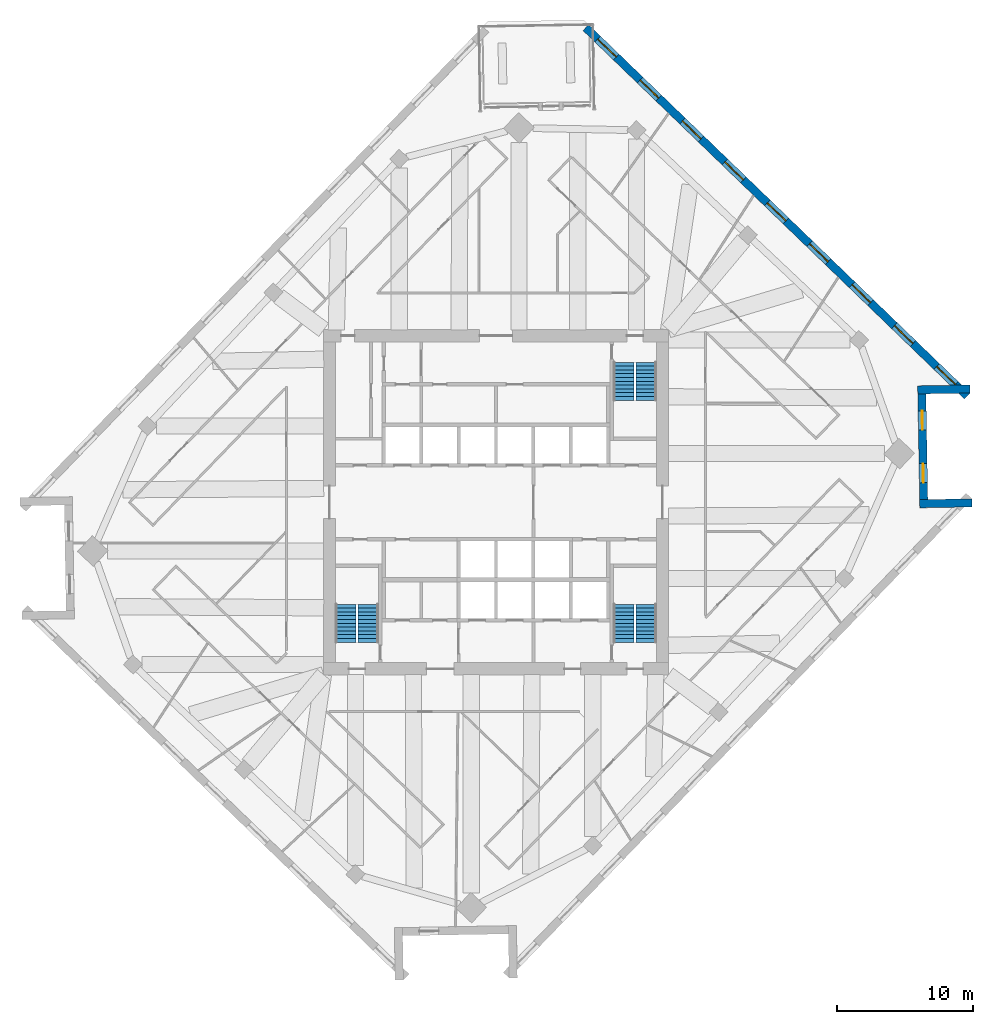
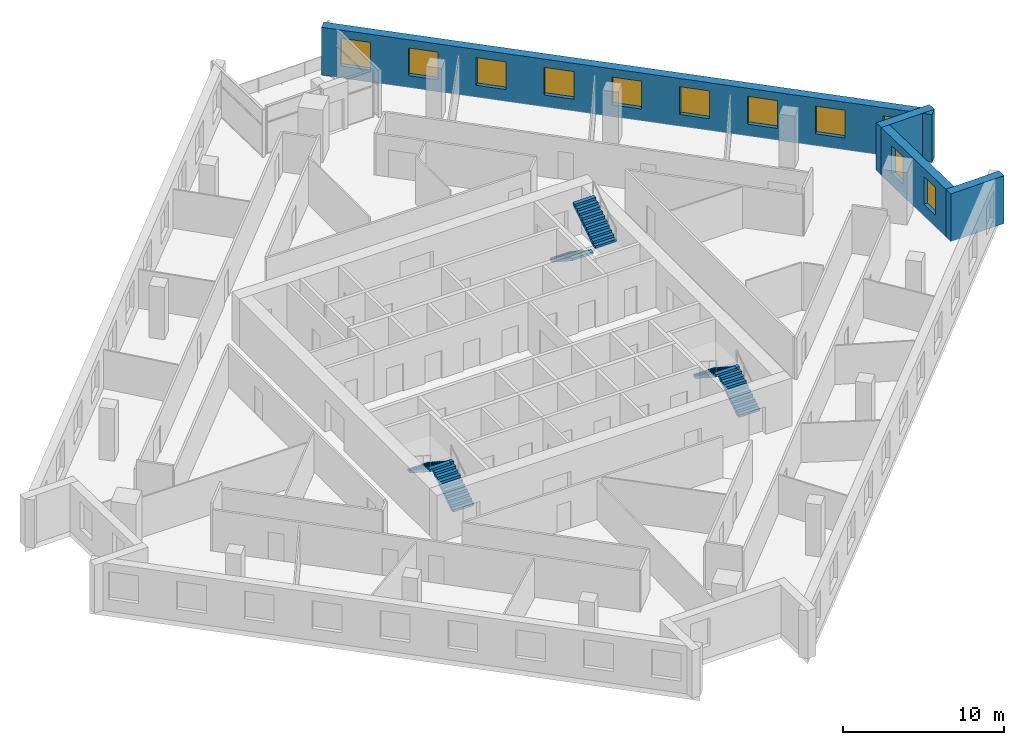
# One storey, part 11 of 13: 11 windows, 6 stair flights, 4 walls, 11 openings, 3 elements without a shape of their own.
"""IFC4 building model written with IfcOpenShell, lengths in metres."""

from ifc_helpers import new_model, si_unit, direction, frame, frame_2d, origin, place, context, subcontext, project, spatial, polyline, rectangle, outline, extrude, material, layer, layer_set, type_object, element, fill, aggregate, save


model = new_model("IFC4")

# Units and contexts
model_context = context("Model", 3, precision=1e-05, world=origin(), true_north=direction((0.0, 1.0)))
body_context = subcontext(model_context, "Body", "Model", "MODEL_VIEW")
ifc_project = project(units=[si_unit("LENGTHUNIT", "METRE"), si_unit("AREAUNIT", "SQUARE_METRE"), si_unit("VOLUMEUNIT", "CUBIC_METRE"), si_unit("PLANEANGLEUNIT", "RADIAN"), si_unit("MASSUNIT", "GRAM", prefix="KILO")], contexts=[model_context])

# Site, building, storey
site_placement = place(None, origin())
site = spatial("IfcSite", under=ifc_project, at=site_placement, CompositionType="ELEMENT")
building_placement = place(site_placement, origin())
building = spatial("IfcBuilding", under=site, at=building_placement, Name="Dilmun Exchange Tower", CompositionType="ELEMENT")
storey_placement = place(building_placement, frame((0.0, 0.0, 209.300048828125)))
storey = spatial("IfcBuildingStorey", under=building, at=storey_placement, Name="L49", CompositionType="ELEMENT", Elevation=209.300048828125)

# Wall
ifc_material_1 = material(Name="Precast concrete C50/60", Category="concrete")
ifc_layer = layer(ifc_material_1, 0.60009765625)
ifc_layer_set = layer_set([ifc_layer], Name="Precast concrete C50/60")
wall_type = type_object("IfcWallType", Name="Precast stone-clad wall 600", PredefinedType="STANDARD", material=ifc_layer_set)
wall_1_placement = place(storey_placement, frame((35.0078125, -0.04248046875, 0.0), z_axis=(0.0, 0.0, 1.0), x_axis=(-0.999847642189, -0.017455440681, 0.0)))
element("IfcWall", 1, at=wall_1_placement, inside=storey, type_object=wall_type, Name="Facade wall L49-12", PredefinedType="STANDARD", context=body_context, shape_type="SweptSolid", body=[
    extrude(rectangle(XDim=3.84619140625, YDim=0.60009765625, at=frame_2d((1.923095703125, 0.0))), origin(), (0.0, 0.0, 1.0), 3.619873046875),
])

# Wall, openings, windows
wall_2_placement = place(storey_placement, frame((31.456787109375, 0.195556640625, 0.0), z_axis=(0.0, 0.0, 1.0), x_axis=(-0.017451978485, 0.999847702626, 0.0)))
wall_2 = element("IfcWall", 2, at=wall_2_placement, inside=storey, type_object=wall_type, Name="Facade wall L49-13", PredefinedType="STANDARD", context=body_context, shape_type="SweptSolid", body=[
    extrude(rectangle(XDim=7.778076171875, YDim=0.60009765625, at=frame_2d((3.88916015625, 0.0))), origin(), (0.0, 0.0, 1.0), 3.619873046875),
])
opening_1_placement = place(wall_2_placement, frame((1.244384765625, 0.0, 0.89990234375)))
opening_1 = element("IfcOpeningElement", 3, at=opening_1_placement, cuts=wall_2, Name="Opening W140-210", PredefinedType="OPENING", context=body_context, shape_type="SweptSolid", body=[
    extrude(rectangle(XDim=1.39990234375, YDim=2.10009765625, at=frame_2d((0.699951171875, 1.050048828125))), frame((0.0, 0.31005859375, 0.0), z_axis=(0.0, -1.0, 0.0), x_axis=(1.0, 0.0, 0.0)), (0.0, 0.0, 1.0), 0.6201171875),
])
opening_2_placement = place(wall_2_placement, frame((5.133544921875, 0.0, 0.89990234375)))
opening_2 = element("IfcOpeningElement", 4, at=opening_2_placement, cuts=wall_2, Name="Opening W140-210", PredefinedType="OPENING", context=body_context, shape_type="SweptSolid", body=[
    extrude(rectangle(XDim=1.39990234375, YDim=2.10009765625, at=frame_2d((0.699951171875, 1.050048828125))), frame((0.0, 0.31005859375, 0.0), z_axis=(0.0, -1.0, 0.0), x_axis=(1.0, 0.0, 0.0)), (0.0, 0.0, 1.0), 0.6201171875),
])
ifc_material_2 = material(Name="Clear low-emissivity glass in aluminium frame", Category="aluminium")
window_type_1 = type_object("IfcWindowType", Name="Punched window 1400 x 2100", PartitioningType="DOUBLE_PANEL_VERTICAL", PredefinedType="WINDOW", material=ifc_material_2)
window_1_placement = place(opening_1_placement, origin())
window_1 = element("IfcWindow", 5, at=window_1_placement, inside=storey, type_object=window_type_1, Name="Window 14.1", OverallHeight=2.10009765625, OverallWidth=1.39990234375, PartitioningType="SINGLE_PANEL", PredefinedType="WINDOW", context=body_context, shape_type="SweptSolid", body=[
    extrude(rectangle(XDim=1.39990234375, YDim=2.10009765625, at=frame_2d((0.699951171875, 1.050048828125))), frame((0.0, 0.030029296875, 0.0), z_axis=(0.0, -1.0, 0.0), x_axis=(1.0, 0.0, 0.0)), (0.0, 0.0, 1.0), 0.06005859375),
])
fill(opening_1, window_1)
window_2_placement = place(opening_2_placement, origin())
window_2 = element("IfcWindow", 6, at=window_2_placement, inside=storey, type_object=window_type_1, Name="Window 14.2", OverallHeight=2.10009765625, OverallWidth=1.39990234375, PartitioningType="SINGLE_PANEL", PredefinedType="WINDOW", context=body_context, shape_type="SweptSolid", body=[
    extrude(rectangle(XDim=1.39990234375, YDim=2.10009765625, at=frame_2d((0.699951171875, 1.050048828125))), frame((0.0, 0.030029296875, 0.0), z_axis=(0.0, -1.0, 0.0), x_axis=(1.0, 0.0, 0.0)), (0.0, 0.0, 1.0), 0.06005859375),
])
fill(opening_2, window_2)

# Wall
wall_3_placement = place(storey_placement, frame((31.015869140625, 8.26708984375, 0.0), z_axis=(0.0, 0.0, 1.0), x_axis=(0.999847642189, 0.017455440681, 0.0)))
element("IfcWall", 7, at=wall_3_placement, inside=storey, type_object=wall_type, Name="Facade wall L49-14", PredefinedType="STANDARD", context=body_context, shape_type="SweptSolid", body=[
    extrude(rectangle(XDim=3.84619140625, YDim=0.60009765625, at=frame_2d((1.923095703125, 0.0))), origin(), (0.0, 0.0, 1.0), 3.619873046875),
])

# Wall, openings, windows
wall_4_placement = place(storey_placement, frame((34.658447265625, 7.818603515625, 0.0), z_axis=(0.0, 0.0, 1.0), x_axis=(-0.719340729741, 0.694657408034, 0.0)))
wall_4 = element("IfcWall", 8, at=wall_4_placement, inside=storey, type_object=wall_type, Name="Facade wall L49-15", PredefinedType="STANDARD", context=body_context, shape_type="SweptSolid", body=[
    extrude(rectangle(XDim=38.999755859375, YDim=0.60009765625, at=frame_2d((19.5, 0.0))), origin(), (0.0, 0.0, 1.0), 3.619873046875),
])
opening_3_placement = place(wall_4_placement, frame((1.216796875, 0.0, 0.89990234375)))
opening_3 = element("IfcOpeningElement", 9, at=opening_3_placement, cuts=wall_4, Name="Opening W190-210", PredefinedType="OPENING", context=body_context, shape_type="SweptSolid", body=[
    extrude(rectangle(XDim=1.89990234375, YDim=2.10009765625, at=frame_2d((0.949951171875, 1.050048828125))), frame((0.0, 0.31005859375, 0.0), z_axis=(0.0, -1.0, 0.0), x_axis=(1.0, 0.0, 0.0)), (0.0, 0.0, 1.0), 0.6201171875),
])
opening_4_placement = place(wall_4_placement, frame((5.550048828125, 0.0, 0.89990234375)))
opening_4 = element("IfcOpeningElement", 10, at=opening_4_placement, cuts=wall_4, Name="Opening W190-210", PredefinedType="OPENING", context=body_context, shape_type="SweptSolid", body=[
    extrude(rectangle(XDim=1.89990234375, YDim=2.10009765625, at=frame_2d((0.949951171875, 1.050048828125))), frame((0.0, 0.31005859375, 0.0), z_axis=(0.0, -1.0, 0.0), x_axis=(1.0, 0.0, 0.0)), (0.0, 0.0, 1.0), 0.6201171875),
])
opening_5_placement = place(wall_4_placement, frame((9.88330078125, 0.0, 0.89990234375)))
opening_5 = element("IfcOpeningElement", 11, at=opening_5_placement, cuts=wall_4, Name="Opening W190-210", PredefinedType="OPENING", context=body_context, shape_type="SweptSolid", body=[
    extrude(rectangle(XDim=1.89990234375, YDim=2.10009765625, at=frame_2d((0.949951171875, 1.050048828125))), frame((0.0, 0.31005859375, 0.0), z_axis=(0.0, -1.0, 0.0), x_axis=(1.0, 0.0, 0.0)), (0.0, 0.0, 1.0), 0.6201171875),
])
opening_6_placement = place(wall_4_placement, frame((14.216796875, 0.0, 0.89990234375)))
opening_6 = element("IfcOpeningElement", 12, at=opening_6_placement, cuts=wall_4, Name="Opening W190-210", PredefinedType="OPENING", context=body_context, shape_type="SweptSolid", body=[
    extrude(rectangle(XDim=1.89990234375, YDim=2.10009765625, at=frame_2d((0.949951171875, 1.050048828125))), frame((0.0, 0.31005859375, 0.0), z_axis=(0.0, -1.0, 0.0), x_axis=(1.0, 0.0, 0.0)), (0.0, 0.0, 1.0), 0.6201171875),
])
opening_7_placement = place(wall_4_placement, frame((18.550048828125, 0.0, 0.89990234375)))
opening_7 = element("IfcOpeningElement", 13, at=opening_7_placement, cuts=wall_4, Name="Opening W190-210", PredefinedType="OPENING", context=body_context, shape_type="SweptSolid", body=[
    extrude(rectangle(XDim=1.89990234375, YDim=2.10009765625, at=frame_2d((0.949951171875, 1.050048828125))), frame((0.0, 0.31005859375, 0.0), z_axis=(0.0, -1.0, 0.0), x_axis=(1.0, 0.0, 0.0)), (0.0, 0.0, 1.0), 0.6201171875),
])
opening_8_placement = place(wall_4_placement, frame((22.88330078125, 0.0, 0.89990234375)))
opening_8 = element("IfcOpeningElement", 14, at=opening_8_placement, cuts=wall_4, Name="Opening W190-210", PredefinedType="OPENING", context=body_context, shape_type="SweptSolid", body=[
    extrude(rectangle(XDim=1.89990234375, YDim=2.10009765625, at=frame_2d((0.949951171875, 1.050048828125))), frame((0.0, 0.31005859375, 0.0), z_axis=(0.0, -1.0, 0.0), x_axis=(1.0, 0.0, 0.0)), (0.0, 0.0, 1.0), 0.6201171875),
])
opening_9_placement = place(wall_4_placement, frame((27.216796875, 0.0, 0.89990234375)))
opening_9 = element("IfcOpeningElement", 15, at=opening_9_placement, cuts=wall_4, Name="Opening W190-210", PredefinedType="OPENING", context=body_context, shape_type="SweptSolid", body=[
    extrude(rectangle(XDim=1.89990234375, YDim=2.10009765625, at=frame_2d((0.949951171875, 1.050048828125))), frame((0.0, 0.31005859375, 0.0), z_axis=(0.0, -1.0, 0.0), x_axis=(1.0, 0.0, 0.0)), (0.0, 0.0, 1.0), 0.6201171875),
])
opening_10_placement = place(wall_4_placement, frame((31.550048828125, 0.0, 0.89990234375)))
opening_10 = element("IfcOpeningElement", 16, at=opening_10_placement, cuts=wall_4, Name="Opening W190-210", PredefinedType="OPENING", context=body_context, shape_type="SweptSolid", body=[
    extrude(rectangle(XDim=1.89990234375, YDim=2.10009765625, at=frame_2d((0.949951171875, 1.050048828125))), frame((0.0, 0.31005859375, 0.0), z_axis=(0.0, -1.0, 0.0), x_axis=(1.0, 0.0, 0.0)), (0.0, 0.0, 1.0), 0.6201171875),
])
opening_11_placement = place(wall_4_placement, frame((35.88330078125, 0.0, 0.89990234375)))
opening_11 = element("IfcOpeningElement", 17, at=opening_11_placement, cuts=wall_4, Name="Opening W190-210", PredefinedType="OPENING", context=body_context, shape_type="SweptSolid", body=[
    extrude(rectangle(XDim=1.89990234375, YDim=2.10009765625, at=frame_2d((0.949951171875, 1.050048828125))), frame((0.0, 0.31005859375, 0.0), z_axis=(0.0, -1.0, 0.0), x_axis=(1.0, 0.0, 0.0)), (0.0, 0.0, 1.0), 0.6201171875),
])
window_type_2 = type_object("IfcWindowType", Name="Punched window 1900 x 2100", PartitioningType="DOUBLE_PANEL_VERTICAL", PredefinedType="WINDOW", material=ifc_material_2)
window_3_placement = place(opening_3_placement, origin())
window_3 = element("IfcWindow", 18, at=window_3_placement, inside=storey, type_object=window_type_2, Name="Window 16.1", OverallHeight=2.10009765625, OverallWidth=1.89990234375, PartitioningType="SINGLE_PANEL", PredefinedType="WINDOW", context=body_context, shape_type="SweptSolid", body=[
    extrude(rectangle(XDim=1.89990234375, YDim=2.10009765625, at=frame_2d((0.949951171875, 1.050048828125))), frame((0.0, 0.030029296875, 0.0), z_axis=(0.0, -1.0, 0.0), x_axis=(1.0, 0.0, 0.0)), (0.0, 0.0, 1.0), 0.06005859375),
])
fill(opening_3, window_3)
window_4_placement = place(opening_4_placement, origin())
window_4 = element("IfcWindow", 19, at=window_4_placement, inside=storey, type_object=window_type_2, Name="Window 16.2", OverallHeight=2.10009765625, OverallWidth=1.89990234375, PartitioningType="SINGLE_PANEL", PredefinedType="WINDOW", context=body_context, shape_type="SweptSolid", body=[
    extrude(rectangle(XDim=1.89990234375, YDim=2.10009765625, at=frame_2d((0.949951171875, 1.050048828125))), frame((0.0, 0.030029296875, 0.0), z_axis=(0.0, -1.0, 0.0), x_axis=(1.0, 0.0, 0.0)), (0.0, 0.0, 1.0), 0.06005859375),
])
fill(opening_4, window_4)
window_5_placement = place(opening_5_placement, origin())
window_5 = element("IfcWindow", 20, at=window_5_placement, inside=storey, type_object=window_type_2, Name="Window 16.3", OverallHeight=2.10009765625, OverallWidth=1.89990234375, PartitioningType="SINGLE_PANEL", PredefinedType="WINDOW", context=body_context, shape_type="SweptSolid", body=[
    extrude(rectangle(XDim=1.89990234375, YDim=2.10009765625, at=frame_2d((0.949951171875, 1.050048828125))), frame((0.0, 0.030029296875, 0.0), z_axis=(0.0, -1.0, 0.0), x_axis=(1.0, 0.0, 0.0)), (0.0, 0.0, 1.0), 0.06005859375),
])
fill(opening_5, window_5)
window_6_placement = place(opening_6_placement, origin())
window_6 = element("IfcWindow", 21, at=window_6_placement, inside=storey, type_object=window_type_2, Name="Window 16.4", OverallHeight=2.10009765625, OverallWidth=1.89990234375, PartitioningType="SINGLE_PANEL", PredefinedType="WINDOW", context=body_context, shape_type="SweptSolid", body=[
    extrude(rectangle(XDim=1.89990234375, YDim=2.10009765625, at=frame_2d((0.949951171875, 1.050048828125))), frame((0.0, 0.030029296875, 0.0), z_axis=(0.0, -1.0, 0.0), x_axis=(1.0, 0.0, 0.0)), (0.0, 0.0, 1.0), 0.06005859375),
])
fill(opening_6, window_6)
window_7_placement = place(opening_7_placement, origin())
window_7 = element("IfcWindow", 22, at=window_7_placement, inside=storey, type_object=window_type_2, Name="Window 16.5", OverallHeight=2.10009765625, OverallWidth=1.89990234375, PartitioningType="SINGLE_PANEL", PredefinedType="WINDOW", context=body_context, shape_type="SweptSolid", body=[
    extrude(rectangle(XDim=1.89990234375, YDim=2.10009765625, at=frame_2d((0.949951171875, 1.050048828125))), frame((0.0, 0.030029296875, 0.0), z_axis=(0.0, -1.0, 0.0), x_axis=(1.0, 0.0, 0.0)), (0.0, 0.0, 1.0), 0.06005859375),
])
fill(opening_7, window_7)
window_8_placement = place(opening_8_placement, origin())
window_8 = element("IfcWindow", 23, at=window_8_placement, inside=storey, type_object=window_type_2, Name="Window 16.6", OverallHeight=2.10009765625, OverallWidth=1.89990234375, PartitioningType="SINGLE_PANEL", PredefinedType="WINDOW", context=body_context, shape_type="SweptSolid", body=[
    extrude(rectangle(XDim=1.89990234375, YDim=2.10009765625, at=frame_2d((0.949951171875, 1.050048828125))), frame((0.0, 0.030029296875, 0.0), z_axis=(0.0, -1.0, 0.0), x_axis=(1.0, 0.0, 0.0)), (0.0, 0.0, 1.0), 0.06005859375),
])
fill(opening_8, window_8)
window_9_placement = place(opening_9_placement, origin())
window_9 = element("IfcWindow", 24, at=window_9_placement, inside=storey, type_object=window_type_2, Name="Window 16.7", OverallHeight=2.10009765625, OverallWidth=1.89990234375, PartitioningType="SINGLE_PANEL", PredefinedType="WINDOW", context=body_context, shape_type="SweptSolid", body=[
    extrude(rectangle(XDim=1.89990234375, YDim=2.10009765625, at=frame_2d((0.949951171875, 1.050048828125))), frame((0.0, 0.030029296875, 0.0), z_axis=(0.0, -1.0, 0.0), x_axis=(1.0, 0.0, 0.0)), (0.0, 0.0, 1.0), 0.06005859375),
])
fill(opening_9, window_9)
window_10_placement = place(opening_10_placement, origin())
window_10 = element("IfcWindow", 25, at=window_10_placement, inside=storey, type_object=window_type_2, Name="Window 16.8", OverallHeight=2.10009765625, OverallWidth=1.89990234375, PartitioningType="SINGLE_PANEL", PredefinedType="WINDOW", context=body_context, shape_type="SweptSolid", body=[
    extrude(rectangle(XDim=1.89990234375, YDim=2.10009765625, at=frame_2d((0.949951171875, 1.050048828125))), frame((0.0, 0.030029296875, 0.0), z_axis=(0.0, -1.0, 0.0), x_axis=(1.0, 0.0, 0.0)), (0.0, 0.0, 1.0), 0.06005859375),
])
fill(opening_10, window_10)
window_11_placement = place(opening_11_placement, origin())
window_11 = element("IfcWindow", 26, at=window_11_placement, inside=storey, type_object=window_type_2, Name="Window 16.9", OverallHeight=2.10009765625, OverallWidth=1.89990234375, PartitioningType="SINGLE_PANEL", PredefinedType="WINDOW", context=body_context, shape_type="SweptSolid", body=[
    extrude(rectangle(XDim=1.89990234375, YDim=2.10009765625, at=frame_2d((0.949951171875, 1.050048828125))), frame((0.0, 0.030029296875, 0.0), z_axis=(0.0, -1.0, 0.0), x_axis=(1.0, 0.0, 0.0)), (0.0, 0.0, 1.0), 0.06005859375),
])
fill(opening_11, window_11)

# Stair, stair flights
ifc_material_3 = material(Name="Concrete C40/50", Category="concrete")
stair_type = type_object("IfcStairType", Name="Exit stair 1500 half-turn", PredefinedType="HALF_TURN_STAIR", material=ifc_material_3)
stair_1_placement = place(storey_placement, origin())
stair_1 = element("IfcStair", 27, at=stair_1_placement, inside=storey, type_object=stair_type, Name="L49 Protected exit stair ST1", PredefinedType="HALF_TURN_STAIR")
stair_flight_type = type_object("IfcStairFlightType", Name="Exit stair flight 1500", PredefinedType="STRAIGHT", material=ifc_material_3)
stair_flight_1_placement = place(storey_placement, frame((9.39990234375, 10.300048828125, 0.0), z_axis=(0.0, 0.0, 1.0), x_axis=(0.0, -1.0, 0.0)))
stair_flight_1 = element("IfcStairFlight", 28, at=stair_flight_1_placement, type_object=stair_flight_type, Name="ST1 flight 1", NumberOfRisers=11, NumberOfTreads=10, PredefinedType="STRAIGHT", RiserHeight=0.181818182, TreadLength=0.28, context=body_context, shape_type="SweptSolid", body=[
    extrude(outline(polyline([(0.0, 0.0), (0.0, 0.181884765625), (0.280029296875, 0.181884765625), (0.280029296875, 0.363525390625), (0.56005859375, 0.363525390625), (0.56005859375, 0.54541015625), (0.840087890625, 0.54541015625), (0.840087890625, 0.727294921875), (1.1201171875, 0.727294921875), (1.1201171875, 0.9091796875), (1.39990234375, 0.9091796875), (1.39990234375, 1.0908203125), (1.679931640625, 1.0908203125), (1.679931640625, 1.272705078125), (1.9599609375, 1.272705078125), (1.9599609375, 1.45458984375), (2.239990234375, 1.45458984375), (2.239990234375, 1.636474609375), (2.52001953125, 1.636474609375), (2.52001953125, 1.818115234375), (2.800048828125, 1.818115234375), (2.800048828125, 2.0), (2.800048828125, 1.639404296875), (0.275146484375, 0.0), (0.0, 0.0)])), frame((0.0, 0.75, 0.0), z_axis=(0.0, -1.0, 0.0), x_axis=(1.0, 0.0, 0.0)), (0.0, 0.0, 1.0), 1.5),
])
stair_flight_2_placement = place(storey_placement, frame((11.050048828125, 7.5, 2.0), z_axis=(0.0, 0.0, 1.0), x_axis=(0.0, 1.0, 0.0)))
stair_flight_2 = element("IfcStairFlight", 29, at=stair_flight_2_placement, type_object=stair_flight_type, Name="ST1 flight 2", NumberOfRisers=11, NumberOfTreads=10, PredefinedType="STRAIGHT", RiserHeight=0.181818182, TreadLength=0.28, context=body_context, shape_type="SweptSolid", body=[
    extrude(outline(polyline([(0.0, 0.0), (0.0, 0.181884765625), (0.280029296875, 0.181884765625), (0.280029296875, 0.363525390625), (0.56005859375, 0.363525390625), (0.56005859375, 0.54541015625), (0.840087890625, 0.54541015625), (0.840087890625, 0.727294921875), (1.1201171875, 0.727294921875), (1.1201171875, 0.9091796875), (1.39990234375, 0.9091796875), (1.39990234375, 1.0908203125), (1.679931640625, 1.0908203125), (1.679931640625, 1.272705078125), (1.9599609375, 1.272705078125), (1.9599609375, 1.45458984375), (2.239990234375, 1.45458984375), (2.239990234375, 1.636474609375), (2.52001953125, 1.636474609375), (2.52001953125, 1.818115234375), (2.800048828125, 1.818115234375), (2.800048828125, 2.0), (2.800048828125, 1.639404296875), (0.275146484375, 0.0), (0.0, 0.0)])), frame((0.0, 0.75, 0.0), z_axis=(0.0, -1.0, 0.0), x_axis=(1.0, 0.0, 0.0)), (0.0, 0.0, 1.0), 1.5),
])
aggregate(stair_1, [stair_flight_1, stair_flight_2])

stair_2_placement = place(storey_placement, origin())
stair_2 = element("IfcStair", 30, at=stair_2_placement, inside=storey, type_object=stair_type, Name="L49 Protected exit stair ST2", PredefinedType="HALF_TURN_STAIR")
stair_flight_3_placement = place(storey_placement, frame((-9.39990234375, -10.300048828125, 0.0), z_axis=(0.0, 0.0, 1.0), x_axis=(0.0, 1.0, 0.0)))
stair_flight_3 = element("IfcStairFlight", 31, at=stair_flight_3_placement, type_object=stair_flight_type, Name="ST2 flight 1", NumberOfRisers=11, NumberOfTreads=10, PredefinedType="STRAIGHT", RiserHeight=0.181818182, TreadLength=0.28, context=body_context, shape_type="SweptSolid", body=[
    extrude(outline(polyline([(0.0, 0.0), (0.0, 0.181884765625), (0.280029296875, 0.181884765625), (0.280029296875, 0.363525390625), (0.56005859375, 0.363525390625), (0.56005859375, 0.54541015625), (0.840087890625, 0.54541015625), (0.840087890625, 0.727294921875), (1.1201171875, 0.727294921875), (1.1201171875, 0.9091796875), (1.39990234375, 0.9091796875), (1.39990234375, 1.0908203125), (1.679931640625, 1.0908203125), (1.679931640625, 1.272705078125), (1.9599609375, 1.272705078125), (1.9599609375, 1.45458984375), (2.239990234375, 1.45458984375), (2.239990234375, 1.636474609375), (2.52001953125, 1.636474609375), (2.52001953125, 1.818115234375), (2.800048828125, 1.818115234375), (2.800048828125, 2.0), (2.800048828125, 1.639404296875), (0.275146484375, 0.0), (0.0, 0.0)])), frame((0.0, 0.75, 0.0), z_axis=(0.0, -1.0, 0.0), x_axis=(1.0, 0.0, 0.0)), (0.0, 0.0, 1.0), 1.5),
])
stair_flight_4_placement = place(storey_placement, frame((-11.050048828125, -7.5, 2.0), z_axis=(0.0, 0.0, 1.0), x_axis=(0.0, -1.0, 0.0)))
stair_flight_4 = element("IfcStairFlight", 32, at=stair_flight_4_placement, type_object=stair_flight_type, Name="ST2 flight 2", NumberOfRisers=11, NumberOfTreads=10, PredefinedType="STRAIGHT", RiserHeight=0.181818182, TreadLength=0.28, context=body_context, shape_type="SweptSolid", body=[
    extrude(outline(polyline([(0.0, 0.0), (0.0, 0.181884765625), (0.280029296875, 0.181884765625), (0.280029296875, 0.363525390625), (0.56005859375, 0.363525390625), (0.56005859375, 0.54541015625), (0.840087890625, 0.54541015625), (0.840087890625, 0.727294921875), (1.1201171875, 0.727294921875), (1.1201171875, 0.9091796875), (1.39990234375, 0.9091796875), (1.39990234375, 1.0908203125), (1.679931640625, 1.0908203125), (1.679931640625, 1.272705078125), (1.9599609375, 1.272705078125), (1.9599609375, 1.45458984375), (2.239990234375, 1.45458984375), (2.239990234375, 1.636474609375), (2.52001953125, 1.636474609375), (2.52001953125, 1.818115234375), (2.800048828125, 1.818115234375), (2.800048828125, 2.0), (2.800048828125, 1.639404296875), (0.275146484375, 0.0), (0.0, 0.0)])), frame((0.0, 0.75, 0.0), z_axis=(0.0, -1.0, 0.0), x_axis=(1.0, 0.0, 0.0)), (0.0, 0.0, 1.0), 1.5),
])
aggregate(stair_2, [stair_flight_3, stair_flight_4])

stair_3_placement = place(storey_placement, origin())
stair_3 = element("IfcStair", 33, at=stair_3_placement, inside=storey, type_object=stair_type, Name="L49 Protected exit stair ST3", PredefinedType="HALF_TURN_STAIR")
stair_flight_5_placement = place(storey_placement, frame((11.050048828125, -10.300048828125, 0.0), z_axis=(0.0, 0.0, 1.0), x_axis=(0.0, 1.0, 0.0)))
stair_flight_5 = element("IfcStairFlight", 34, at=stair_flight_5_placement, type_object=stair_flight_type, Name="ST3 flight 1", NumberOfRisers=11, NumberOfTreads=10, PredefinedType="STRAIGHT", RiserHeight=0.181818182, TreadLength=0.28, context=body_context, shape_type="SweptSolid", body=[
    extrude(outline(polyline([(0.0, 0.0), (0.0, 0.181884765625), (0.280029296875, 0.181884765625), (0.280029296875, 0.363525390625), (0.56005859375, 0.363525390625), (0.56005859375, 0.54541015625), (0.840087890625, 0.54541015625), (0.840087890625, 0.727294921875), (1.1201171875, 0.727294921875), (1.1201171875, 0.9091796875), (1.39990234375, 0.9091796875), (1.39990234375, 1.0908203125), (1.679931640625, 1.0908203125), (1.679931640625, 1.272705078125), (1.9599609375, 1.272705078125), (1.9599609375, 1.45458984375), (2.239990234375, 1.45458984375), (2.239990234375, 1.636474609375), (2.52001953125, 1.636474609375), (2.52001953125, 1.818115234375), (2.800048828125, 1.818115234375), (2.800048828125, 2.0), (2.800048828125, 1.639404296875), (0.275146484375, 0.0), (0.0, 0.0)])), frame((0.0, 0.75, 0.0), z_axis=(0.0, -1.0, 0.0), x_axis=(1.0, 0.0, 0.0)), (0.0, 0.0, 1.0), 1.5),
])
stair_flight_6_placement = place(storey_placement, frame((9.39990234375, -7.5, 2.0), z_axis=(0.0, 0.0, 1.0), x_axis=(0.0, -1.0, 0.0)))
stair_flight_6 = element("IfcStairFlight", 35, at=stair_flight_6_placement, type_object=stair_flight_type, Name="ST3 flight 2", NumberOfRisers=11, NumberOfTreads=10, PredefinedType="STRAIGHT", RiserHeight=0.181818182, TreadLength=0.28, context=body_context, shape_type="SweptSolid", body=[
    extrude(outline(polyline([(0.0, 0.0), (0.0, 0.181884765625), (0.280029296875, 0.181884765625), (0.280029296875, 0.363525390625), (0.56005859375, 0.363525390625), (0.56005859375, 0.54541015625), (0.840087890625, 0.54541015625), (0.840087890625, 0.727294921875), (1.1201171875, 0.727294921875), (1.1201171875, 0.9091796875), (1.39990234375, 0.9091796875), (1.39990234375, 1.0908203125), (1.679931640625, 1.0908203125), (1.679931640625, 1.272705078125), (1.9599609375, 1.272705078125), (1.9599609375, 1.45458984375), (2.239990234375, 1.45458984375), (2.239990234375, 1.636474609375), (2.52001953125, 1.636474609375), (2.52001953125, 1.818115234375), (2.800048828125, 1.818115234375), (2.800048828125, 2.0), (2.800048828125, 1.639404296875), (0.275146484375, 0.0), (0.0, 0.0)])), frame((0.0, 0.75, 0.0), z_axis=(0.0, -1.0, 0.0), x_axis=(1.0, 0.0, 0.0)), (0.0, 0.0, 1.0), 1.5),
])
aggregate(stair_3, [stair_flight_5, stair_flight_6])

save(model, "model.ifc")
